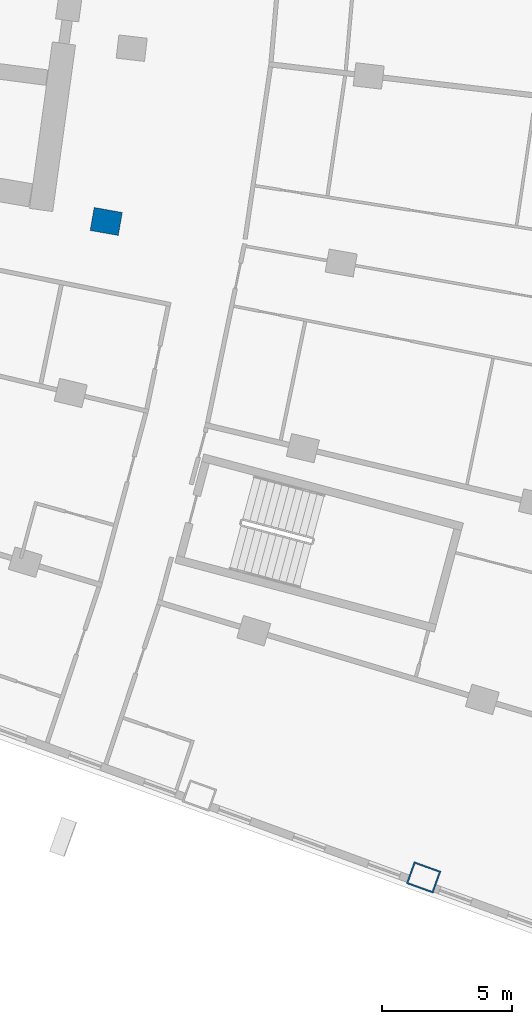
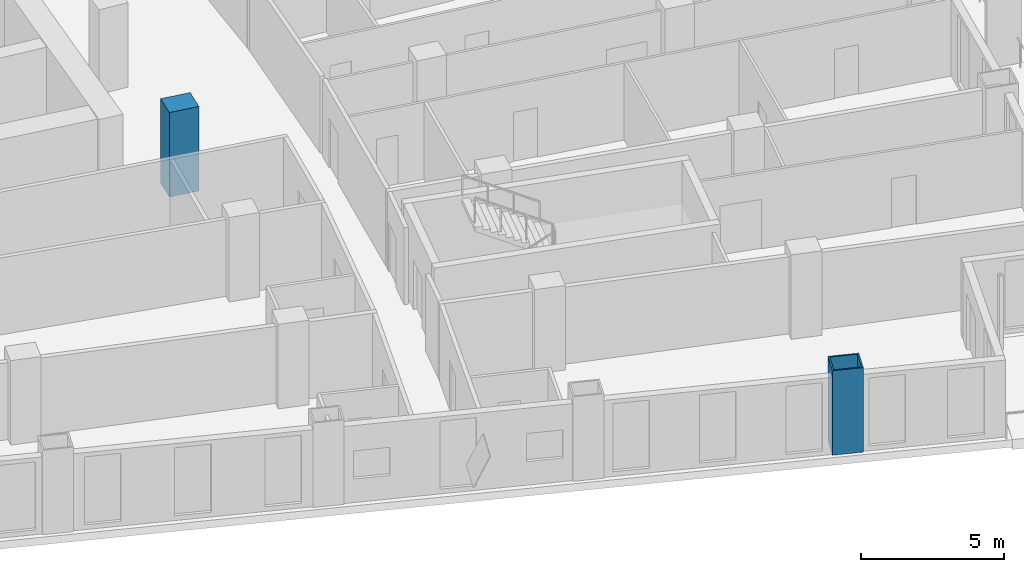
# One storey, part 4 of 24: 2 columns.
"""IFC4 building model written with IfcOpenShell, lengths in metres."""

from ifc_helpers import new_model, si_unit, direction, frame, origin, origin_2d, place, context, subcontext, project, spatial, rectangle, hollow_rectangle, extrude, material, material_profile, profile_set, type_object, element, save


model = new_model("IFC4")

# Units and contexts
model_context = context("Model", 3, precision=1e-05, world=origin(), true_north=direction((0.0, 1.0)))
body_context = subcontext(model_context, "Body", "Model", "MODEL_VIEW")
ifc_project = project(units=[si_unit("LENGTHUNIT", "METRE"), si_unit("AREAUNIT", "SQUARE_METRE"), si_unit("VOLUMEUNIT", "CUBIC_METRE"), si_unit("PLANEANGLEUNIT", "RADIAN"), si_unit("MASSUNIT", "GRAM", prefix="KILO")], contexts=[model_context])

# Site, building, storey
site_placement = place(None, origin())
site = spatial("IfcSite", under=ifc_project, at=site_placement, CompositionType="ELEMENT")
building_placement = place(site_placement, origin())
building = spatial("IfcBuilding", under=site, at=building_placement, Name="Alderwake Tower", CompositionType="ELEMENT")
storey_placement = place(building_placement, frame((0.0, 0.0, 39.199951171875)))
storey = spatial("IfcBuildingStorey", under=building, at=storey_placement, Name="L08", CompositionType="ELEMENT", Elevation=39.199951171875)

# Columns
ifc_material_1 = material(Name="Steel ASTM A572 Grade 50 concrete filled C70/85", Category="concrete")
ifc_material_profile_1 = material_profile(ifc_material_1, hollow_rectangle(XDim=0.89990234375, YDim=1.10009765625, WallThickness=0.06005859375, at=origin_2d()), Name="BOX 1100X900X60")
ifc_profile_set_1 = profile_set([ifc_material_profile_1], Name="Steel ASTM A572 Grade 50 concrete filled C70/85")
column_type_1 = type_object("IfcColumnType", Name="End column Z1", PredefinedType="COLUMN", material=ifc_profile_set_1)
column_1_placement = place(storey_placement, frame((46.268310546875, 15.547119140625, 0.0), z_axis=(0.0, 0.0, 1.0), x_axis=(0.338695224082, 0.940896139425, 0.0)))
element("IfcColumn", 1, at=column_1_placement, inside=storey, type_object=column_type_1, Name="Column R01-C4", PredefinedType="COLUMN", context=body_context, shape_type="SweptSolid", body=[
    extrude(hollow_rectangle(XDim=0.89990234375, YDim=1.10009765625, WallThickness=0.06005859375, at=origin_2d()), origin(), (0.0, 0.0, 1.0), 3.60009765625),
])
ifc_material_2 = material(Name="Concrete C70/85", Category="concrete")
ifc_material_profile_2 = material_profile(ifc_material_2, rectangle(XDim=0.89990234375, YDim=1.10009765625, at=origin_2d()), Name="RC 1100X900")
ifc_profile_set_2 = profile_set([ifc_material_profile_2], Name="Concrete C70/85")
column_type_2 = type_object("IfcColumnType", Name="Interior column Z1", PredefinedType="COLUMN", material=ifc_profile_set_2)
column_2_placement = place(storey_placement, frame((34.03125, 40.83837890625, 0.0), z_axis=(0.0, 0.0, 1.0), x_axis=(0.174108800747, 0.984726421654, 0.0)))
element("IfcColumn", 2, at=column_2_placement, inside=storey, type_object=column_type_2, Name="Column R04-C2", PredefinedType="COLUMN", context=body_context, shape_type="SweptSolid", body=[
    extrude(rectangle(XDim=0.89990234375, YDim=1.10009765625, at=origin_2d()), origin(), (0.0, 0.0, 1.0), 3.60009765625),
])

save(model, "model.ifc")
